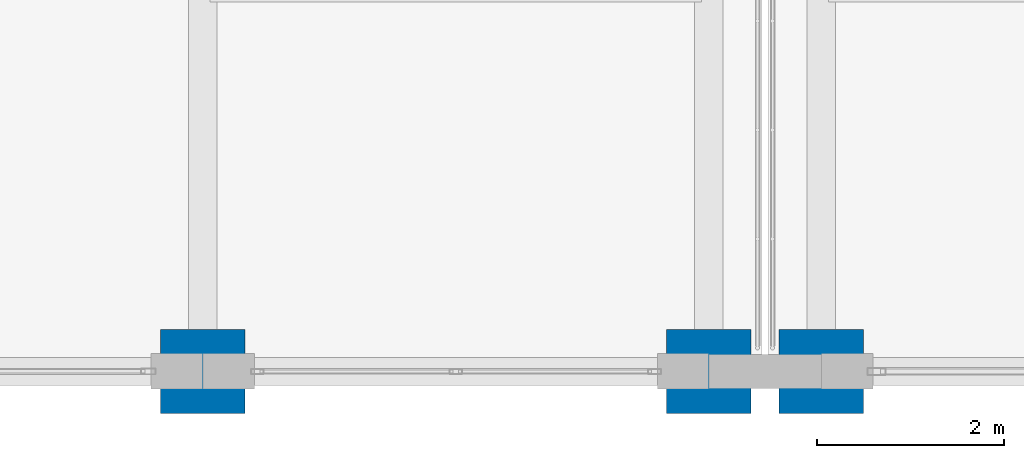
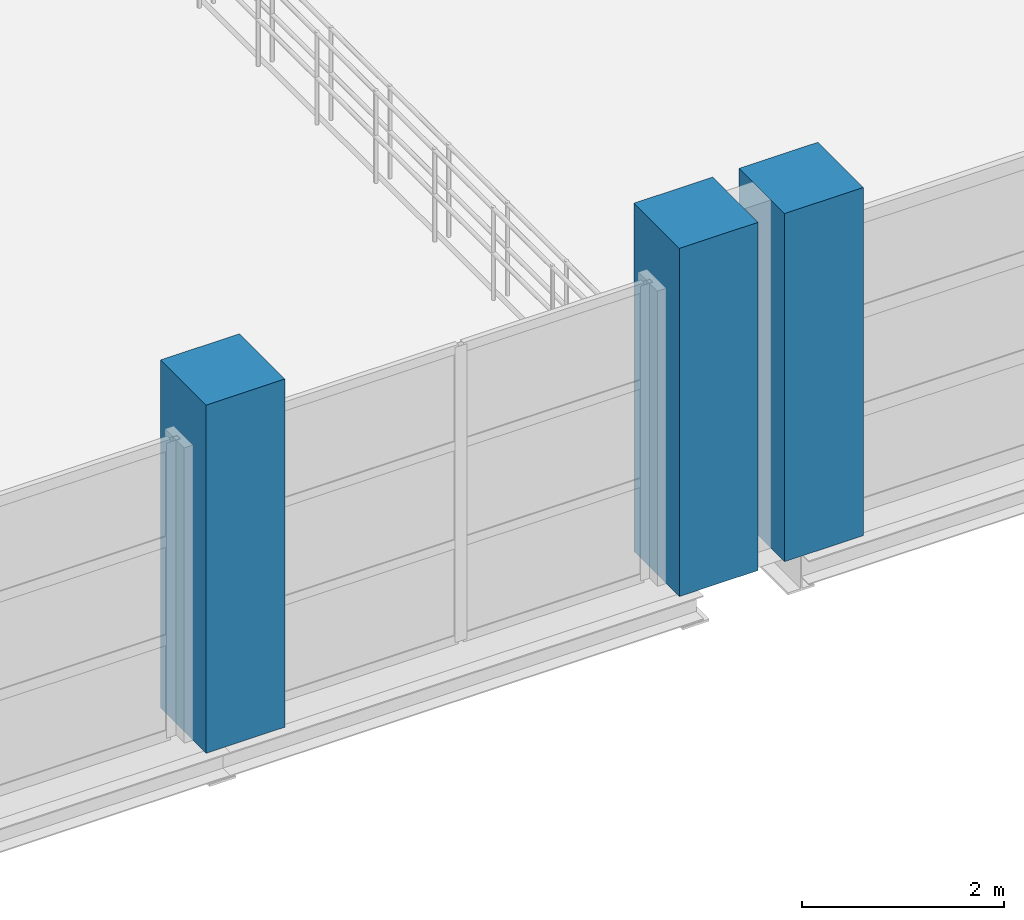
# One storey, part 5 of 158: 3 columns.
"""IFC4 building model written with IfcOpenShell, lengths in metres."""

from ifc_helpers import new_model, si_unit, direction, frame, origin, origin_2d, place, context, subcontext, project, spatial, rectangle, extrude, material, material_profile, profile_set, type_object, element, save


model = new_model("IFC4")

# Units and contexts
model_context = context("Model", 3, precision=1e-05, world=origin(), true_north=direction((0.0, 1.0)))
body_context = subcontext(model_context, "Body", "Model", "MODEL_VIEW")
ifc_project = project(units=[si_unit("LENGTHUNIT", "METRE"), si_unit("AREAUNIT", "SQUARE_METRE"), si_unit("VOLUMEUNIT", "CUBIC_METRE"), si_unit("PLANEANGLEUNIT", "RADIAN"), si_unit("MASSUNIT", "GRAM", prefix="KILO")], contexts=[model_context])

# Site, building, storey
site_placement = place(None, origin())
site = spatial("IfcSite", under=ifc_project, at=site_placement, CompositionType="ELEMENT")
building_placement = place(site_placement, origin())
building = spatial("IfcBuilding", under=site, at=building_placement, Name="Zilviju Railside Exhibition Hall", CompositionType="ELEMENT")
storey_placement = place(building_placement, frame((0.0, 0.0, 4.199951171875)))
storey = spatial("IfcBuildingStorey", under=building, at=storey_placement, Name="L02", CompositionType="ELEMENT", Elevation=4.199951171875)

# Columns
ifc_material = material(Name="Concrete C40/50", Category="concrete")
ifc_material_profile = material_profile(ifc_material, rectangle(XDim=0.89990234375, YDim=0.89990234375, at=origin_2d()), Name="RC COL 900x900")
ifc_profile_set = profile_set([ifc_material_profile], Name="Concrete C40/50")
column_type = type_object("IfcColumnType", Name="COL-RC-900", PredefinedType="COLUMN", material=ifc_profile_set)
for number, where, z_axis, x_axis, name in (
    (1, (120.0, 0.0, 0.0), (0.0, 0.0, 1.0), (1.0, 0.0, 0.0), "Structural Column L02 (120.0, 0.0)"),
    (2, (125.39990234375, 0.0, 0.0), (0.0, 0.0, 1.0), (1.0, 0.0, 0.0), "Structural Column L02 (125.4, 0.0)"),
    (3, (126.60009765625, 0.0, 0.0), (0.0, 0.0, 1.0), (1.0, 0.0, 0.0), "Structural Column L02 (126.6, 0.0)"),
):
    element("IfcColumn", number, at=place(storey_placement, frame(where, z_axis=z_axis, x_axis=x_axis)), inside=storey, type_object=column_type, Name=name, PredefinedType="COLUMN", context=body_context, shape_type="SweptSolid", body=[
        extrude(rectangle(XDim=0.89990234375, YDim=0.89990234375, at=origin_2d()), origin(), (0.0, 0.0, 1.0), 4.199951171875),
    ])

save(model, "model.ifc")
